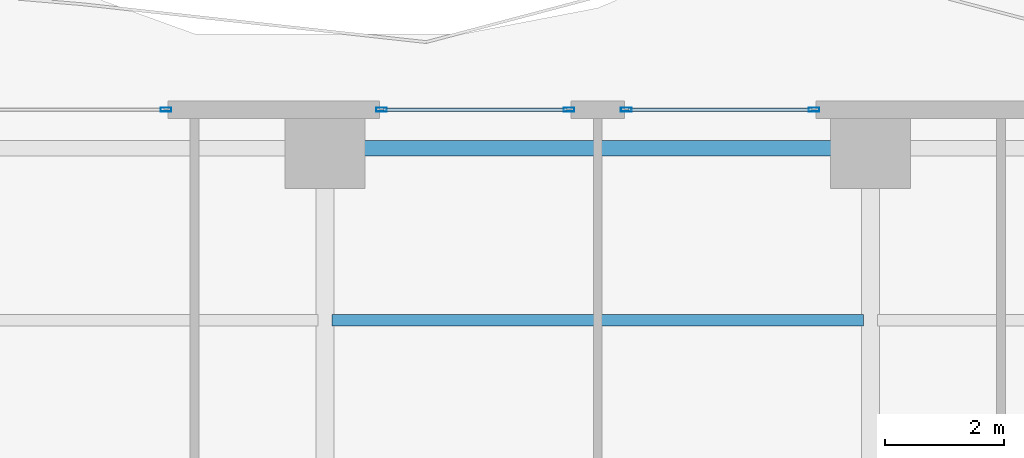
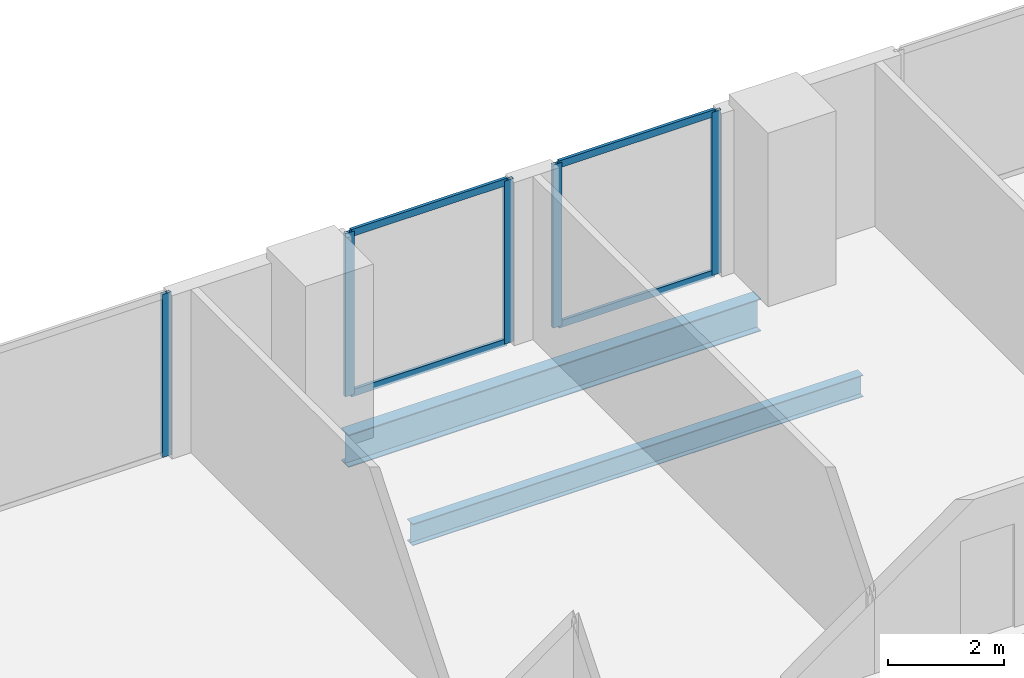
# One storey, part 17 of 30: 9 members, 2 beams, 3 elements without a shape of their own.
"""IFC4 building model written with IfcOpenShell, lengths in metres."""

from ifc_helpers import new_model, si_unit, direction, frame, origin, origin_2d, place, context, subcontext, project, spatial, hollow_rectangle, i_section, extrude, material, layer, layer_set, material_profile, profile_set, type_object, element, aggregate, save


model = new_model("IFC4")

# Units and contexts
model_context = context("Model", 3, precision=1e-05, world=origin(), true_north=direction((0.0, 1.0)))
body_context = subcontext(model_context, "Body", "Model", "MODEL_VIEW")
ifc_project = project(units=[si_unit("LENGTHUNIT", "METRE"), si_unit("AREAUNIT", "SQUARE_METRE"), si_unit("VOLUMEUNIT", "CUBIC_METRE"), si_unit("PLANEANGLEUNIT", "RADIAN"), si_unit("MASSUNIT", "GRAM", prefix="KILO")], contexts=[model_context])

# Site, building, storey
site_placement = place(None, origin())
site = spatial("IfcSite", under=ifc_project, at=site_placement, CompositionType="ELEMENT")
building_placement = place(site_placement, origin())
building = spatial("IfcBuilding", under=site, at=building_placement, Name="Zuhayl Quay Hotel", CompositionType="ELEMENT")
storey_placement = place(building_placement, frame((0.0, 0.0, 128.5)))
storey = spatial("IfcBuildingStorey", under=building, at=storey_placement, Name="L32", CompositionType="ELEMENT", Elevation=128.5)

# Beams
ifc_material_1 = material(Name="Steel ASTM A992 Grade 50", Category="steel")
ifc_material_profile_1 = material_profile(ifc_material_1, i_section(OverallWidth=0.25390625, OverallDepth=0.68310546875, WebThickness=0.012451171875, FlangeThickness=0.018798828125, at=origin_2d()), Name="W27X94")
ifc_profile_set_1 = profile_set([ifc_material_profile_1], Name="Steel ASTM A992 Grade 50")
beam_type_1 = type_object("IfcBeamType", Name="BM_B2_W27X94", PredefinedType="BEAM", material=ifc_profile_set_1)
beam_1_placement = place(storey_placement, frame((4.10009765625, 27.75, -0.5615234375), z_axis=(-1.0, 0.0, 0.0), x_axis=(0.0, -1.0, 0.0)))
element("IfcBeam", 1, at=beam_1_placement, inside=storey, type_object=beam_type_1, Name="L32 Floor Beam RG_L32_08", PredefinedType="BEAM", context=body_context, shape_type="SweptSolid", body=[
    extrude(i_section(OverallWidth=0.25390625, OverallDepth=0.68310546875, WebThickness=0.012451171875, FlangeThickness=0.018798828125, at=origin_2d()), origin(), (0.0, 0.0, 1.0), 8.2001953125),
])
ifc_material_profile_2 = material_profile(ifc_material_1, i_section(OverallWidth=0.18994140625, OverallDepth=0.45703125, WebThickness=0.009033203125, FlangeThickness=0.014404296875, at=origin_2d()), Name="W18X50")
ifc_profile_set_2 = profile_set([ifc_material_profile_2], Name="Steel ASTM A992 Grade 50")
beam_type_2 = type_object("IfcBeamType", Name="BM_J2_W18X50", PredefinedType="JOIST", material=ifc_profile_set_2)
beam_2_placement = place(storey_placement, frame((-4.48095703125, 24.85009765625, -0.448486328125), z_axis=(1.0, 0.0, 0.0), x_axis=(0.0, 1.0, 0.0)))
element("IfcBeam", 2, at=beam_2_placement, inside=storey, type_object=beam_type_2, Name="L32 Floor Beam FJ_L32_4_2", PredefinedType="JOIST", context=body_context, shape_type="SweptSolid", body=[
    extrude(i_section(OverallWidth=0.18994140625, OverallDepth=0.45703125, WebThickness=0.009033203125, FlangeThickness=0.014404296875, at=origin_2d()), origin(), (0.0, 0.0, 1.0), 8.9619140625),
])

# Curtain wall, member
ifc_material_2 = material(Name="Anodised Aluminium 6063-T6", Category="aluminium")
ifc_layer = layer(ifc_material_2, 0.179931640625, Name="Anodised Aluminium 6063-T6", Category="aluminium")
ifc_layer_set = layer_set([ifc_layer], Name="Anodised Aluminium 6063-T6")
curtain_wall_type = type_object("IfcCurtainWallType", Name="CW_SYS_Z2", PredefinedType="USERDEFINED", material=ifc_layer_set)
curtain_wall_1_placement = place(storey_placement, origin())
curtain_wall_1 = element("IfcCurtainWall", 3, at=curtain_wall_1_placement, inside=storey, type_object=curtain_wall_type, Name="L32 Curtain Wall ENV_L32_N_CW2", ObjectType="UNITISED CURTAIN WALL", PredefinedType="USERDEFINED")
ifc_material_3 = material(Name="Black-anodised aluminium 6063-T6", Category="aluminium")
ifc_material_profile_3 = material_profile(ifc_material_3, hollow_rectangle(XDim=0.06494140625, YDim=0.179931640625, WallThickness=0.00341796875, at=origin_2d()), Name="ALU180X65")
ifc_profile_set_3 = profile_set([ifc_material_profile_3], Name="Black-anodised aluminium 6063-T6")
member_type_1 = type_object("IfcMemberType", Name="MB_CW_MUL_180", PredefinedType="MULLION", material=ifc_profile_set_3)
member_1_placement = place(storey_placement, frame((-7.282470703125, 28.39990234375, 0.0), z_axis=(0.0, 0.0, 1.0), x_axis=(0.0, 1.0, 0.0)))
member_1 = element("IfcMember", 4, at=member_1_placement, type_object=member_type_1, Name="CW-Z2 mullion 2", PredefinedType="MULLION", context=body_context, shape_type="SweptSolid", body=[
    extrude(hollow_rectangle(XDim=0.06494140625, YDim=0.179931640625, WallThickness=0.00341796875, at=origin_2d()), origin(), (0.0, 0.0, 1.0), 3.429931640625),
])
aggregate(curtain_wall_1, [member_1])

# Curtain wall, members
curtain_wall_2_placement = place(storey_placement, origin())
curtain_wall_2 = element("IfcCurtainWall", 5, at=curtain_wall_2_placement, inside=storey, type_object=curtain_wall_type, Name="L32 Curtain Wall ENV_L32_N_CW3", ObjectType="UNITISED CURTAIN WALL", PredefinedType="USERDEFINED")
member_2_placement = place(storey_placement, frame((-3.6474609375, 28.39990234375, 0.0), z_axis=(0.0, 0.0, 1.0), x_axis=(0.0, 1.0, 0.0)))
member_2 = element("IfcMember", 6, at=member_2_placement, type_object=member_type_1, Name="CW-Z2 mullion 1", PredefinedType="MULLION", context=body_context, shape_type="SweptSolid", body=[
    extrude(hollow_rectangle(XDim=0.06494140625, YDim=0.179931640625, WallThickness=0.00341796875, at=origin_2d()), origin(), (0.0, 0.0, 1.0), 3.429931640625),
])
member_3_placement = place(storey_placement, frame((-0.482421875, 28.39990234375, 0.0), z_axis=(0.0, 0.0, 1.0), x_axis=(0.0, 1.0, 0.0)))
member_3 = element("IfcMember", 7, at=member_3_placement, type_object=member_type_1, Name="CW-Z2 mullion 2", PredefinedType="MULLION", context=body_context, shape_type="SweptSolid", body=[
    extrude(hollow_rectangle(XDim=0.06494140625, YDim=0.179931640625, WallThickness=0.00341796875, at=origin_2d()), origin(), (0.0, 0.0, 1.0), 3.429931640625),
])

curtain_wall_3_placement = place(storey_placement, origin())
curtain_wall_3 = element("IfcCurtainWall", 8, at=curtain_wall_3_placement, inside=storey, type_object=curtain_wall_type, Name="L32 Curtain Wall ENV_L32_N_CW4", ObjectType="UNITISED CURTAIN WALL", PredefinedType="USERDEFINED")
member_4_placement = place(storey_placement, frame((0.482421875, 28.39990234375, 0.0), z_axis=(0.0, 0.0, 1.0), x_axis=(0.0, 1.0, 0.0)))
member_4 = element("IfcMember", 9, at=member_4_placement, type_object=member_type_1, Name="CW-Z2 mullion 1", PredefinedType="MULLION", context=body_context, shape_type="SweptSolid", body=[
    extrude(hollow_rectangle(XDim=0.06494140625, YDim=0.179931640625, WallThickness=0.00341796875, at=origin_2d()), origin(), (0.0, 0.0, 1.0), 3.429931640625),
])
member_5_placement = place(storey_placement, frame((3.6474609375, 28.39990234375, 0.0), z_axis=(0.0, 0.0, 1.0), x_axis=(0.0, 1.0, 0.0)))
member_5 = element("IfcMember", 10, at=member_5_placement, type_object=member_type_1, Name="CW-Z2 mullion 2", PredefinedType="MULLION", context=body_context, shape_type="SweptSolid", body=[
    extrude(hollow_rectangle(XDim=0.06494140625, YDim=0.179931640625, WallThickness=0.00341796875, at=origin_2d()), origin(), (0.0, 0.0, 1.0), 3.429931640625),
])

# Member
ifc_material_profile_4 = material_profile(ifc_material_3, hollow_rectangle(XDim=0.06005859375, YDim=0.14990234375, WallThickness=0.00341796875, at=origin_2d()), Name="ALU150X60")
ifc_profile_set_4 = profile_set([ifc_material_profile_4], Name="Black-anodised aluminium 6063-T6")
member_type_2 = type_object("IfcMemberType", Name="MB_CW_TRN_150", PredefinedType="USERDEFINED", material=ifc_profile_set_4)
member_6_placement = place(storey_placement, frame((-3.614990234375, 28.39990234375, 0.030029296875), z_axis=(1.0, 0.0, 0.0), x_axis=(0.0, 1.0, 0.0)))
member_6 = element("IfcMember", 11, at=member_6_placement, type_object=member_type_2, Name="CW-Z2 transom 1.1", ObjectType="TRANSOM", PredefinedType="USERDEFINED", context=body_context, shape_type="SweptSolid", body=[
    extrude(hollow_rectangle(XDim=0.06005859375, YDim=0.14990234375, WallThickness=0.00341796875, at=origin_2d()), origin(), (0.0, 0.0, 1.0), 3.10009765625),
])

member_7_placement = place(storey_placement, frame((-3.614990234375, 28.39990234375, 3.39990234375), z_axis=(1.0, 0.0, 0.0), x_axis=(0.0, 1.0, 0.0)))
member_7 = element("IfcMember", 12, at=member_7_placement, type_object=member_type_2, Name="CW-Z2 transom 1.2", ObjectType="TRANSOM", PredefinedType="USERDEFINED", context=body_context, shape_type="SweptSolid", body=[
    extrude(hollow_rectangle(XDim=0.06005859375, YDim=0.14990234375, WallThickness=0.00341796875, at=origin_2d()), origin(), (0.0, 0.0, 1.0), 3.10009765625),
])

aggregate(curtain_wall_2, [member_2, member_3, member_6, member_7])

member_8_placement = place(storey_placement, frame((0.514892578125, 28.39990234375, 0.030029296875), z_axis=(1.0, 0.0, 0.0), x_axis=(0.0, 1.0, 0.0)))
member_8 = element("IfcMember", 13, at=member_8_placement, type_object=member_type_2, Name="CW-Z2 transom 1.1", ObjectType="TRANSOM", PredefinedType="USERDEFINED", context=body_context, shape_type="SweptSolid", body=[
    extrude(hollow_rectangle(XDim=0.06005859375, YDim=0.14990234375, WallThickness=0.00341796875, at=origin_2d()), origin(), (0.0, 0.0, 1.0), 3.10009765625),
])

member_9_placement = place(storey_placement, frame((0.514892578125, 28.39990234375, 3.39990234375), z_axis=(1.0, 0.0, 0.0), x_axis=(0.0, 1.0, 0.0)))
member_9 = element("IfcMember", 14, at=member_9_placement, type_object=member_type_2, Name="CW-Z2 transom 1.2", ObjectType="TRANSOM", PredefinedType="USERDEFINED", context=body_context, shape_type="SweptSolid", body=[
    extrude(hollow_rectangle(XDim=0.06005859375, YDim=0.14990234375, WallThickness=0.00341796875, at=origin_2d()), origin(), (0.0, 0.0, 1.0), 3.10009765625),
])

aggregate(curtain_wall_3, [member_4, member_5, member_8, member_9])

save(model, "model.ifc")
